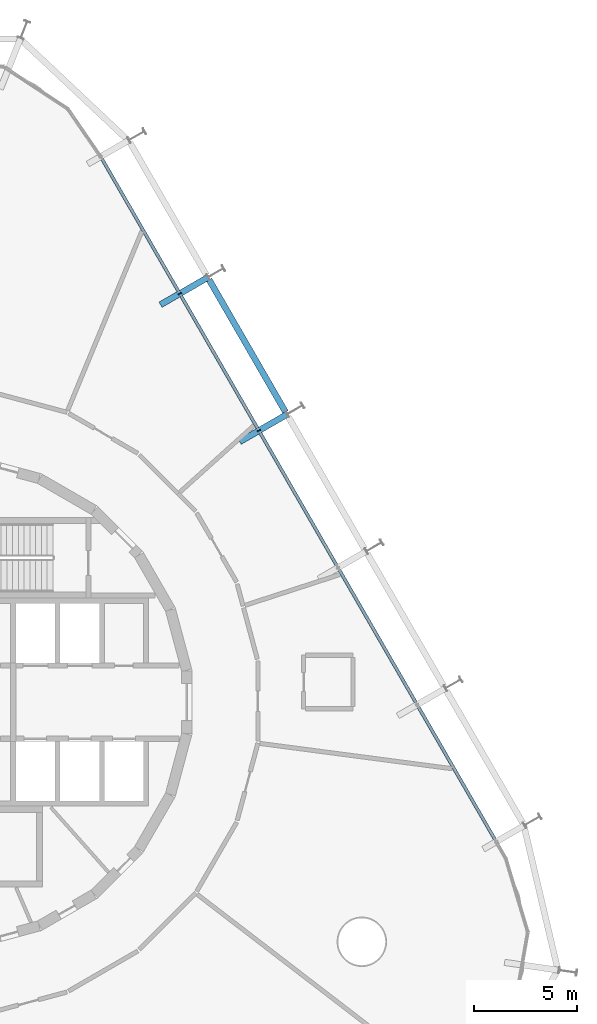
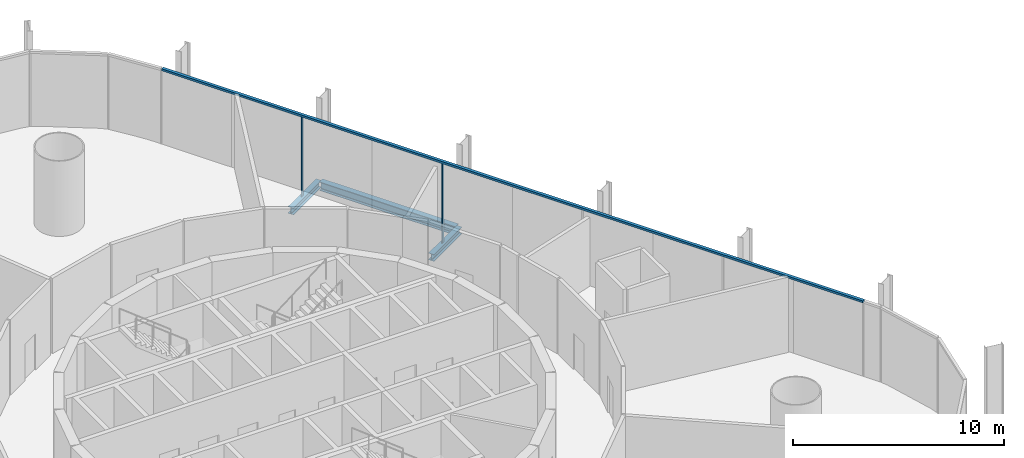
# One storey, part 10 of 17: 3 beams, 3 members, 1 element without a shape of its own.
"""IFC4 building model written with IfcOpenShell, lengths in metres."""

from ifc_helpers import new_model, si_unit, direction, frame, origin, origin_2d, place, context, subcontext, project, spatial, rectangle, i_section, extrude, material, layer, layer_set, material_profile, profile_set, type_object, element, aggregate, save


model = new_model("IFC4")

# Units and contexts
model_context = context("Model", 3, precision=1e-05, world=origin(), true_north=direction((0.0, 1.0)))
body_context = subcontext(model_context, "Body", "Model", "MODEL_VIEW")
ifc_project = project(units=[si_unit("LENGTHUNIT", "METRE"), si_unit("AREAUNIT", "SQUARE_METRE"), si_unit("VOLUMEUNIT", "CUBIC_METRE"), si_unit("PLANEANGLEUNIT", "RADIAN"), si_unit("MASSUNIT", "GRAM", prefix="KILO")], contexts=[model_context])

# Site, building, storey
site_placement = place(None, origin())
site = spatial("IfcSite", under=ifc_project, at=site_placement, CompositionType="ELEMENT")
building_placement = place(site_placement, origin())
building = spatial("IfcBuilding", under=site, at=building_placement, Name="Spindle Arch Residences", CompositionType="ELEMENT")
storey_placement = place(building_placement, frame((0.0, 0.0, 28.199951171875)))
storey = spatial("IfcBuildingStorey", under=building, at=storey_placement, Name="L05", CompositionType="ELEMENT", Elevation=28.199951171875)

# Curtain wall, members
ifc_material_1 = material(Name="Aluminium bronze unitised frame with tinted glass", Category="aluminium")
ifc_layer = layer(ifc_material_1, 0.159912109375)
ifc_layer_set = layer_set([ifc_layer], Name="CW-B amenity podium glazed wall")
curtain_wall_type = type_object("IfcCurtainWallType", Name="CW-B amenity podium glazed wall", PredefinedType="NOTDEFINED", material=ifc_layer_set)
curtain_wall_placement = place(storey_placement, origin())
curtain_wall = element("IfcCurtainWall", 1, at=curtain_wall_placement, inside=storey, type_object=curtain_wall_type, Name="CW-B L05 run 2", PredefinedType="NOTDEFINED")
ifc_material_2 = material(Name="Aluminium bronze anodised mullion", Category="aluminium")
ifc_material_profile_1 = material_profile(ifc_material_2, rectangle(XDim=0.159912109375, YDim=0.06005859375, at=origin_2d()), Name="MU 60x160")
ifc_profile_set_1 = profile_set([ifc_material_profile_1], Name="Aluminium bronze anodised mullion")
member_type_1 = type_object("IfcMemberType", Name="Bronze mullion 60x160", PredefinedType="MULLION", material=ifc_profile_set_1)
member_1_placement = place(storey_placement, frame((15.149169921875, 13.180419921875, -0.3798828125), z_axis=(0.0, 0.0, 1.0), x_axis=(-0.866025403784, -0.5, 0.0)))
member_1 = element("IfcMember", 2, at=member_1_placement, type_object=member_type_1, Name="CW-B mullion 08", PredefinedType="MULLION", context=body_context, shape_type="SweptSolid", body=[
    extrude(rectangle(XDim=0.159912109375, YDim=0.06005859375, at=origin_2d()), origin(), (0.0, 0.0, 1.0), 4.60986328125),
])
member_2_placement = place(storey_placement, frame((11.309326171875, 19.83154296875, -0.3798828125), z_axis=(0.0, 0.0, 1.0), x_axis=(-0.866025403784, -0.5, 0.0)))
member_2 = element("IfcMember", 3, at=member_2_placement, type_object=member_type_1, Name="CW-B mullion 09", PredefinedType="MULLION", context=body_context, shape_type="SweptSolid", body=[
    extrude(rectangle(XDim=0.159912109375, YDim=0.06005859375, at=origin_2d()), origin(), (0.0, 0.0, 1.0), 4.60986328125),
])
ifc_material_3 = material(Name="Aluminium bronze anodised transom", Category="aluminium")
ifc_material_profile_2 = material_profile(ifc_material_3, rectangle(XDim=0.159912109375, YDim=0.1201171875, at=origin_2d()), Name="TR 120x160")
ifc_profile_set_2 = profile_set([ifc_material_profile_2], Name="Aluminium bronze anodised transom")
member_type_2 = type_object("IfcMemberType", Name="Bronze transom 120x160", PredefinedType="USERDEFINED", material=ifc_profile_set_2)
member_3_placement = place(storey_placement, frame((26.654296875, -6.746826171875, 4.2900390625), z_axis=(-0.50000099666, 0.866024828362, 0.0), x_axis=(-0.866024828362, -0.50000099666, 0.0)))
member_3 = element("IfcMember", 4, at=member_3_placement, type_object=member_type_2, Name="CW-B transom 00", ObjectType="TRANSOM", PredefinedType="USERDEFINED", context=body_context, shape_type="SweptSolid", body=[
    extrude(rectangle(XDim=0.159912109375, YDim=0.1201171875, at=origin_2d()), origin(), (0.0, 0.0, 1.0), 38.34033203125),
])
aggregate(curtain_wall, [member_3, member_1, member_2])

# Beams
ifc_material_4 = material(Name="Steel S460ML, intumescent coating R 120", Category="steel")
ifc_material_profile_3 = material_profile(ifc_material_4, i_section(OverallWidth=0.300048828125, OverallDepth=0.5, WebThickness=0.014404296875, FlangeThickness=0.028076171875, FilletRadius=0.027099609375, at=origin_2d()), Name="HEB 500")
ifc_profile_set_3 = profile_set([ifc_material_profile_3], Name="Steel S460ML, intumescent coating R 120")
beam_type_1 = type_object("IfcBeamType", Name="Exoskeleton edge beam HEB 500", PredefinedType="BEAM", material=ifc_profile_set_3)
beam_placement = place(storey_placement, frame((16.44384765625, 14.078125, -0.6298828125), z_axis=(-0.49998923004, 0.866031621735, 0.0), x_axis=(-0.866031621735, -0.49998923004, 0.0)))
element("IfcBeam", 5, at=beam_placement, inside=storey, type_object=beam_type_1, Name="Exoskeleton edge beam 9", PredefinedType="BEAM", context=body_context, shape_type="SweptSolid", body=[
    extrude(i_section(OverallWidth=0.300048828125, OverallDepth=0.5, WebThickness=0.014404296875, FlangeThickness=0.028076171875, FilletRadius=0.027099609375, at=origin_2d()), origin(), (0.0, 0.0, 1.0), 7.420166015625),
])
ifc_material_5 = material(Name="Steel S460ML, intumescent coating R 120", Category="steel")
ifc_material_profile_4 = material_profile(ifc_material_5, i_section(OverallWidth=0.300048828125, OverallDepth=0.389892578125, WebThickness=0.010986328125, FlangeThickness=0.01904296875, FilletRadius=0.027099609375, at=origin_2d()), Name="HEA 400")
ifc_profile_set_4 = profile_set([ifc_material_profile_4], Name="Steel S460ML, intumescent coating R 120")
beam_type_2 = type_object("IfcBeamType", Name="Floor outrigger HEA 400", PredefinedType="BEAM", material=ifc_profile_set_4)
for number, where, z_axis, x_axis, name in (
    (6, (16.5087890625, 13.965576171875, -0.574951171875), (-0.865989200783, -0.500062700197, 0.0), (0.500062700197, -0.865989200783, 0.0), "Floor outrigger 9"),
    (7, (12.6689453125, 20.61669921875, -0.574951171875), (-0.866052124492, -0.499953715521, 0.0), (0.499953715521, -0.866052124492, 0.0), "Floor outrigger 10"),
):
    element("IfcBeam", number, at=place(storey_placement, frame(where, z_axis=z_axis, x_axis=x_axis)), inside=storey, type_object=beam_type_2, Name=name, PredefinedType="BEAM", context=body_context, shape_type="SweptSolid", body=[
        extrude(i_section(OverallWidth=0.300048828125, OverallDepth=0.389892578125, WebThickness=0.010986328125, FlangeThickness=0.01904296875, FilletRadius=0.027099609375, at=origin_2d()), origin(), (0.0, 0.0, 1.0), 2.650146484375),
    ])

save(model, "model.ifc")
